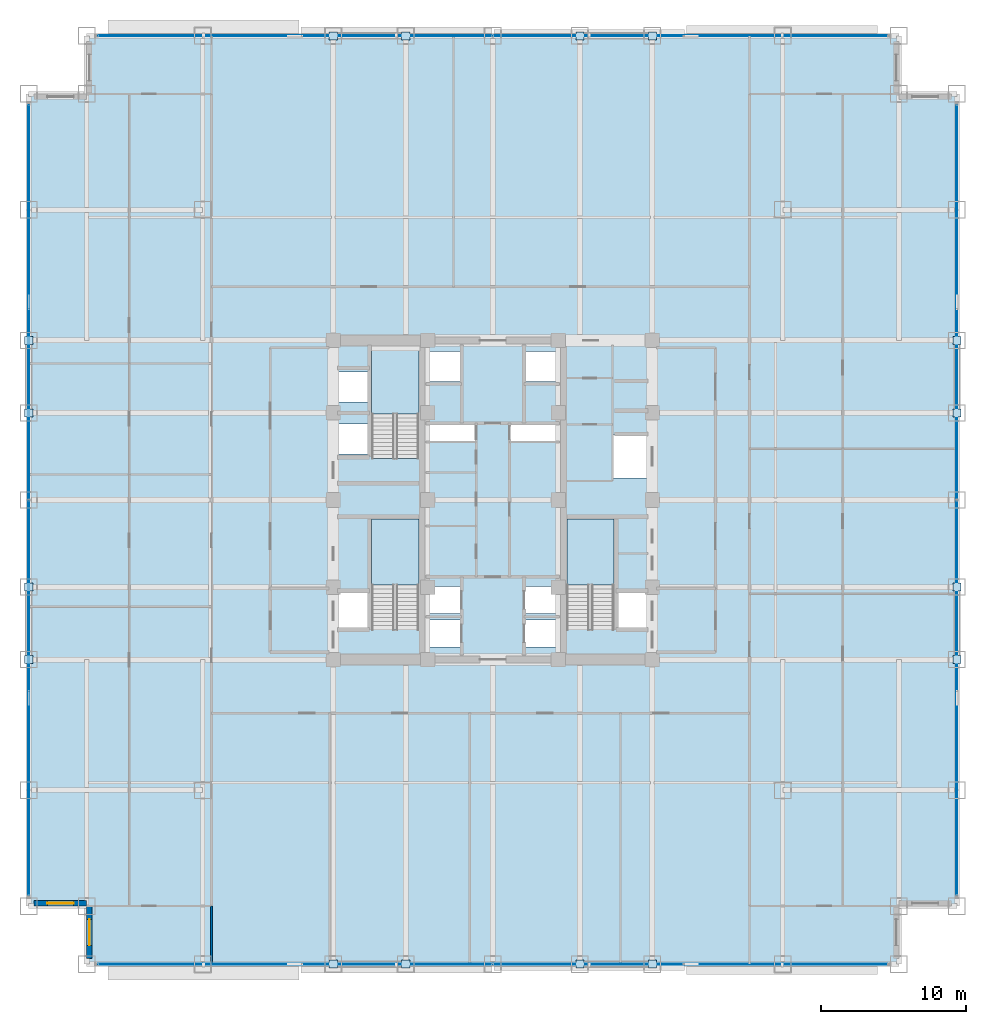
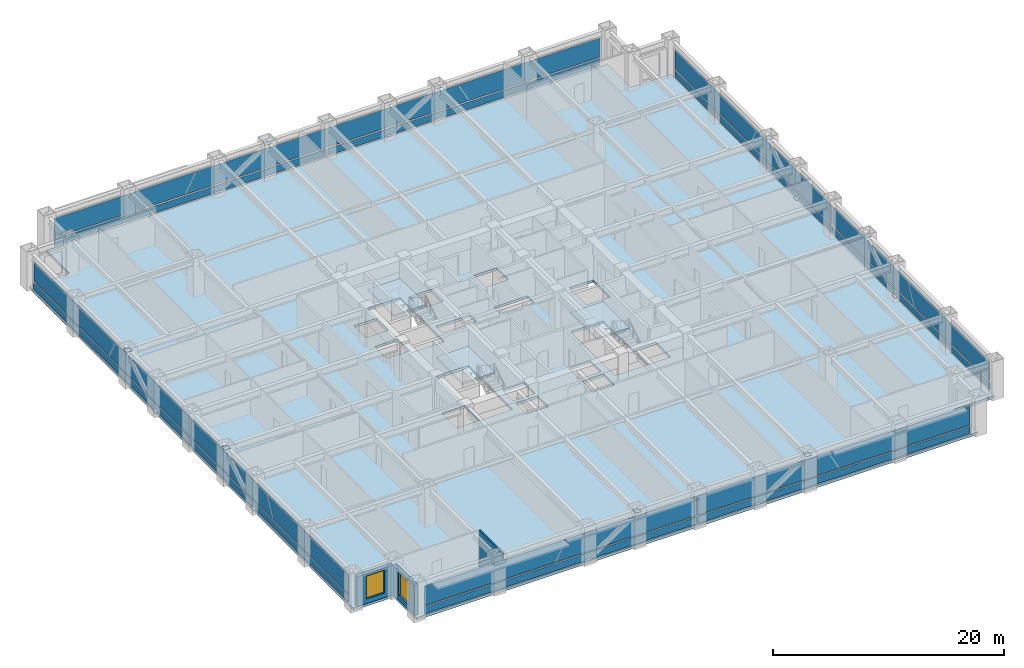
# One storey, part 22 of 32: 32 plates, 4 slabs, 3 walls, 2 windows, 2 openings, 7 elements without a shape of their own.
"""IFC4 building model written with IfcOpenShell, lengths in metres."""

from ifc_helpers import new_model, si_unit, direction, frame, frame_2d, origin, origin_2d, place, context, subcontext, project, spatial, polyline, rectangle, outline, extrude, source, transform, mapped, material, layer, layer_set, type_object, element, fill, aggregate, save


model = new_model("IFC4")

# Units and contexts
model_context = context("Model", 3, precision=1e-05, world=origin(), true_north=direction((0.0, 1.0)))
body_context = subcontext(model_context, "Body", "Model", "MODEL_VIEW")
ifc_project = project(units=[si_unit("LENGTHUNIT", "METRE"), si_unit("AREAUNIT", "SQUARE_METRE"), si_unit("VOLUMEUNIT", "CUBIC_METRE"), si_unit("PLANEANGLEUNIT", "RADIAN"), si_unit("MASSUNIT", "GRAM", prefix="KILO")], contexts=[model_context])

# Site, building, storey
site_placement = place(None, origin())
site = spatial("IfcSite", under=ifc_project, at=site_placement, CompositionType="ELEMENT")
building_placement = place(site_placement, origin())
building = spatial("IfcBuilding", under=site, at=building_placement, Name="Khorayat Bourse Tower", CompositionType="ELEMENT")
storey_placement = place(building_placement, frame((0.0, 0.0, 128.300048828125)))
storey = spatial("IfcBuildingStorey", under=building, at=storey_placement, Name="L29", CompositionType="ELEMENT", Elevation=128.300048828125)

# Stair, slab
ifc_material_1 = material(Name="Concrete C40/50", Category="concrete")
stair_type = type_object("IfcStairType", Name="STR-CORE-1550", PredefinedType="HALF_TURN_STAIR", material=ifc_material_1)
stair_1_placement = place(storey_placement, origin())
stair_1 = element("IfcStair", 1, at=stair_1_placement, inside=storey, type_object=stair_type, Name="L29 Exit Stair ST-1", PredefinedType="HALF_TURN_STAIR")
ifc_layer_1 = layer(ifc_material_1, 0.199951171875)
ifc_layer_set_1 = layer_set([ifc_layer_1], Name="Concrete C40/50")
slab_type_1 = type_object("IfcSlabType", Name="SLB-LANDING-200", PredefinedType="LANDING", material=ifc_layer_set_1)
slab_1_placement = place(storey_placement, frame((0.0, 0.0, 1.849853515625)))
slab_1 = element("IfcSlab", 2, at=slab_1_placement, type_object=slab_type_1, Name="ST-1 landing 1", PredefinedType="LANDING", context=body_context, shape_type="SweptSolid", body=[
    extrude(outline(polyline([(-5.10009765625, -5.8701171875), (-5.10009765625, -1.300048828125), (-8.35009765625, -1.300048828125), (-8.35009765625, -5.8701171875), (-5.10009765625, -5.8701171875)])), origin(), (0.0, 0.0, 1.0), 0.2001953125),
])
aggregate(stair_1, [slab_1])

stair_2_placement = place(storey_placement, origin())
stair_2 = element("IfcStair", 3, at=stair_2_placement, inside=storey, type_object=stair_type, Name="L29 Exit Stair ST-2", PredefinedType="HALF_TURN_STAIR")
slab_2_placement = place(storey_placement, frame((0.0, 0.0, 1.849853515625)))
slab_2 = element("IfcSlab", 4, at=slab_2_placement, type_object=slab_type_1, Name="ST-2 landing 1", PredefinedType="LANDING", context=body_context, shape_type="SweptSolid", body=[
    extrude(outline(polyline([(-5.10009765625, 5.929931640625), (-5.10009765625, 10.5), (-8.35009765625, 10.5), (-8.35009765625, 5.929931640625), (-5.10009765625, 5.929931640625)])), origin(), (0.0, 0.0, 1.0), 0.2001953125),
])
aggregate(stair_2, [slab_2])

stair_3_placement = place(storey_placement, origin())
stair_3 = element("IfcStair", 5, at=stair_3_placement, inside=storey, type_object=stair_type, Name="L29 Exit Stair ST-3", PredefinedType="HALF_TURN_STAIR")
slab_3_placement = place(storey_placement, frame((0.0, 0.0, 1.849853515625)))
slab_3 = element("IfcSlab", 6, at=slab_3_placement, type_object=slab_type_1, Name="ST-3 landing 1", PredefinedType="LANDING", context=body_context, shape_type="SweptSolid", body=[
    extrude(outline(polyline([(8.35009765625, -5.8701171875), (8.35009765625, -1.300048828125), (5.10009765625, -1.300048828125), (5.10009765625, -5.8701171875), (8.35009765625, -5.8701171875)])), origin(), (0.0, 0.0, 1.0), 0.2001953125),
])
aggregate(stair_3, [slab_3])

# Slab
ifc_layer_2 = layer(ifc_material_1, 0.260009765625)
ifc_layer_set_2 = layer_set([ifc_layer_2], Name="Concrete C40/50")
slab_type_2 = type_object("IfcSlabType", Name="SLB-TRADE-260", PredefinedType="FLOOR", material=ifc_layer_set_2)
slab_4_placement = place(storey_placement, frame((0.0, 0.0, -0.260009765625)))
element("IfcSlab", 7, at=slab_4_placement, inside=storey, type_object=slab_type_2, Name="L29 Main Floor Slab", PredefinedType="FLOOR", context=body_context, shape_type="SweptSolid", body=[
    extrude(outline(polyline([(-28.0, -32.0), (28.0, -32.0), (28.0, -28.0), (32.0, -28.0), (32.0, 28.0), (28.0, 28.0), (28.0, 32.0), (-28.0, 32.0), (-28.0, 28.0), (-32.0, 28.0), (-32.0, -28.0), (-28.0, -28.0), (-28.0, -32.0)]), holes=[polyline([(-8.35009765625, -8.945068359375), (-5.10009765625, -8.945068359375), (-5.10009765625, -1.300048828125), (-8.35009765625, -1.300048828125), (-8.35009765625, -8.945068359375)]), polyline([(-8.35009765625, 2.85498046875), (-5.10009765625, 2.85498046875), (-5.10009765625, 10.5), (-8.35009765625, 10.5), (-8.35009765625, 2.85498046875)]), polyline([(5.10009765625, -8.945068359375), (8.35009765625, -8.945068359375), (8.35009765625, -1.300048828125), (5.10009765625, -1.300048828125), (5.10009765625, -8.945068359375)]), polyline([(-4.3798828125, -10.1298828125), (-2.219970703125, -10.1298828125), (-2.219970703125, -8.27001953125), (-4.3798828125, -8.27001953125), (-4.3798828125, -10.1298828125)]), polyline([(2.219970703125, -10.1298828125), (4.3798828125, -10.1298828125), (4.3798828125, -8.27001953125), (2.219970703125, -8.27001953125), (2.219970703125, -10.1298828125)]), polyline([(-4.3798828125, -7.830078125), (-2.219970703125, -7.830078125), (-2.219970703125, -5.969970703125), (-4.3798828125, -5.969970703125), (-4.3798828125, -7.830078125)]), polyline([(2.219970703125, -7.830078125), (4.3798828125, -7.830078125), (4.3798828125, -5.969970703125), (2.219970703125, -5.969970703125), (2.219970703125, -7.830078125)]), polyline([(-4.3798828125, 8.169921875), (-2.1201171875, 8.169921875), (-2.1201171875, 10.22998046875), (-4.3798828125, 10.22998046875), (-4.3798828125, 8.169921875)]), polyline([(2.1201171875, 8.169921875), (4.3798828125, 8.169921875), (4.3798828125, 10.22998046875), (2.1201171875, 10.22998046875), (2.1201171875, 8.169921875)]), polyline([(-10.679931640625, 3.169921875), (-8.419921875, 3.169921875), (-8.419921875, 5.22998046875), (-10.679931640625, 5.22998046875), (-10.679931640625, 3.169921875)]), polyline([(-10.679931640625, 6.77001953125), (-8.419921875, 6.77001953125), (-8.419921875, 8.830078125), (-10.679931640625, 8.830078125), (-10.679931640625, 6.77001953125)]), polyline([(-10.679931640625, -8.929931640625), (-8.419921875, -8.929931640625), (-8.419921875, -6.3701171875), (-10.679931640625, -6.3701171875), (-10.679931640625, -8.929931640625)]), polyline([(8.419921875, -8.929931640625), (10.679931640625, -8.929931640625), (10.679931640625, -6.3701171875), (8.419921875, -6.3701171875), (8.419921875, -8.929931640625)]), polyline([(8.320068359375, 1.52001953125), (10.679931640625, 1.52001953125), (10.679931640625, 4.47998046875), (8.320068359375, 4.47998046875), (8.320068359375, 1.52001953125)]), polyline([(-4.56005859375, 4.080078125), (-1.18994140625, 4.080078125), (-1.18994140625, 5.219970703125), (-4.56005859375, 5.219970703125), (-4.56005859375, 4.080078125)]), polyline([(1.18994140625, 4.080078125), (4.56005859375, 4.080078125), (4.56005859375, 5.219970703125), (1.18994140625, 5.219970703125), (1.18994140625, 4.080078125)])]), origin(), (0.0, 0.0, 1.0), 0.260009765625),
])

# Plates
ifc_material_2 = material(Name="Steel EN 10025-2 S355J2", Category="steel")
ifc_layer_3 = layer(ifc_material_2, 0.02490234375)
ifc_layer_set_3 = layer_set([ifc_layer_3], Name="Steel EN 10025-2 S355J2")
plate_type_1 = type_object("IfcPlateType", Name="PLT-ENDCAP-25", PredefinedType="SHEET", material=ifc_layer_set_3)
shared_shape_1 = source(origin(), body_context, "Body", "SweptSolid", [
    extrude(rectangle(XDim=0.56005859375, YDim=0.56005859375, at=origin_2d()), origin(), (0.0, 0.0, 1.0), 0.02490234375),
])
for number, where, z_axis, x_axis, name in (
    (8, (-11.0, -32.0, 0.237548828125), (0.0, 0.0, 1.0), (1.0, 0.0, 0.0), "L29 Perimeter Brace End Plate 001"),
    (9, (-6.0, -32.0, 3.577392578125), (0.0, 0.0, 1.0), (1.0, 0.0, 0.0), "L29 Perimeter Brace End Plate 002"),
    (10, (6.0, -32.0, 0.237548828125), (0.0, 0.0, 1.0), (1.0, 0.0, 0.0), "L29 Perimeter Brace End Plate 003"),
    (11, (11.0, -32.0, 3.577392578125), (0.0, 0.0, 1.0), (1.0, 0.0, 0.0), "L29 Perimeter Brace End Plate 004"),
    (12, (-11.0, 32.0, 0.237548828125), (0.0, 0.0, 1.0), (1.0, 0.0, 0.0), "L29 Perimeter Brace End Plate 005"),
    (13, (-6.0, 32.0, 3.577392578125), (0.0, 0.0, 1.0), (1.0, 0.0, 0.0), "L29 Perimeter Brace End Plate 006"),
    (14, (6.0, 32.0, 0.237548828125), (0.0, 0.0, 1.0), (1.0, 0.0, 0.0), "L29 Perimeter Brace End Plate 007"),
    (15, (11.0, 32.0, 3.577392578125), (0.0, 0.0, 1.0), (1.0, 0.0, 0.0), "L29 Perimeter Brace End Plate 008"),
    (16, (-32.0, -11.0, 0.237548828125), (0.0, 0.0, 1.0), (1.0, 0.0, 0.0), "L29 Perimeter Brace End Plate 009"),
    (17, (-32.0, -6.0, 3.577392578125), (0.0, 0.0, 1.0), (1.0, 0.0, 0.0), "L29 Perimeter Brace End Plate 010"),
    (18, (-32.0, 6.0, 0.237548828125), (0.0, 0.0, 1.0), (1.0, 0.0, 0.0), "L29 Perimeter Brace End Plate 011"),
    (19, (-32.0, 11.0, 3.577392578125), (0.0, 0.0, 1.0), (1.0, 0.0, 0.0), "L29 Perimeter Brace End Plate 012"),
    (20, (32.0, -11.0, 0.237548828125), (0.0, 0.0, 1.0), (1.0, 0.0, 0.0), "L29 Perimeter Brace End Plate 013"),
    (21, (32.0, -6.0, 3.577392578125), (0.0, 0.0, 1.0), (1.0, 0.0, 0.0), "L29 Perimeter Brace End Plate 014"),
    (22, (32.0, 6.0, 0.237548828125), (0.0, 0.0, 1.0), (1.0, 0.0, 0.0), "L29 Perimeter Brace End Plate 015"),
    (23, (32.0, 11.0, 3.577392578125), (0.0, 0.0, 1.0), (1.0, 0.0, 0.0), "L29 Perimeter Brace End Plate 016"),
):
    element("IfcPlate", number, at=place(storey_placement, frame(where, z_axis=z_axis, x_axis=x_axis)), inside=storey, type_object=plate_type_1, Name=name, PredefinedType="SHEET", context=body_context, shape_type="MappedRepresentation", body=[
        mapped(shared_shape_1, transform((0.0, 0.0, 0.0), scale=1.0)),
    ])

# Curtain wall, plates
ifc_material_3 = material(Name="Aluminium EN AW-6063 T6", Category="aluminium")
curtain_wall_type = type_object("IfcCurtainWallType", Name="CW-SYS-02", PredefinedType="NOTDEFINED", material=ifc_material_3)
curtain_wall_1_placement = place(storey_placement, origin())
curtain_wall_1 = element("IfcCurtainWall", 24, at=curtain_wall_1_placement, inside=storey, type_object=curtain_wall_type, Name="L29 Curtain Wall CW-L29-S1", PredefinedType="NOTDEFINED")
ifc_material_4 = material(Name="Honed desert limestone insulated spandrel", Category="masonry")
ifc_layer_4 = layer(ifc_material_4, 0.06494140625)
ifc_layer_set_4 = layer_set([ifc_layer_4], Name="Honed desert limestone insulated spandrel")
plate_type_2 = type_object("IfcPlateType", Name="CWP-SPAND-03", PredefinedType="CURTAIN_PANEL", material=ifc_layer_set_4)
shared_shape_2 = source(origin(), body_context, "Body", "SweptSolid", [
    extrude(rectangle(XDim=27.139892578125, YDim=0.06494140625, at=origin_2d()), origin(), (0.0, 0.0, 1.0), 0.739990234375),
])
plate_1_placement = place(storey_placement, frame((-13.639892578125, -32.0, 0.14013671875), z_axis=(0.0, 0.0, 1.0), x_axis=(1.0, 0.0, 0.0)))
plate_1 = element("IfcPlate", 25, at=plate_1_placement, type_object=plate_type_2, Name="CW-L29-S1 Spandrel Panel 1-1", PredefinedType="CURTAIN_PANEL", context=body_context, shape_type="MappedRepresentation", body=[
    mapped(shared_shape_2, transform((0.0, 0.0, 0.0), scale=1.0)),
])
plate_2_placement = place(storey_placement, frame((13.639892578125, -32.0, 0.14013671875), z_axis=(0.0, 0.0, 1.0), x_axis=(1.0, 0.0, 0.0)))
plate_2 = element("IfcPlate", 26, at=plate_2_placement, type_object=plate_type_2, Name="CW-L29-S1 Spandrel Panel 2-1", PredefinedType="CURTAIN_PANEL", context=body_context, shape_type="MappedRepresentation", body=[
    mapped(shared_shape_2, transform((0.0, 0.0, 0.0), scale=1.0)),
])

curtain_wall_2_placement = place(storey_placement, origin())
curtain_wall_2 = element("IfcCurtainWall", 27, at=curtain_wall_2_placement, inside=storey, type_object=curtain_wall_type, Name="L29 Curtain Wall CW-L29-N1", PredefinedType="NOTDEFINED")
plate_3_placement = place(storey_placement, frame((-13.639892578125, 32.0, 0.14013671875), z_axis=(0.0, 0.0, 1.0), x_axis=(1.0, 0.0, 0.0)))
plate_3 = element("IfcPlate", 28, at=plate_3_placement, type_object=plate_type_2, Name="CW-L29-N1 Spandrel Panel 1-1", PredefinedType="CURTAIN_PANEL", context=body_context, shape_type="MappedRepresentation", body=[
    mapped(shared_shape_2, transform((0.0, 0.0, 0.0), scale=1.0)),
])
plate_4_placement = place(storey_placement, frame((13.639892578125, 32.0, 0.14013671875), z_axis=(0.0, 0.0, 1.0), x_axis=(1.0, 0.0, 0.0)))
plate_4 = element("IfcPlate", 29, at=plate_4_placement, type_object=plate_type_2, Name="CW-L29-N1 Spandrel Panel 2-1", PredefinedType="CURTAIN_PANEL", context=body_context, shape_type="MappedRepresentation", body=[
    mapped(shared_shape_2, transform((0.0, 0.0, 0.0), scale=1.0)),
])

curtain_wall_3_placement = place(storey_placement, origin())
curtain_wall_3 = element("IfcCurtainWall", 30, at=curtain_wall_3_placement, inside=storey, type_object=curtain_wall_type, Name="L29 Curtain Wall CW-L29-W1", PredefinedType="NOTDEFINED")
plate_5_placement = place(storey_placement, frame((-32.0, -13.639892578125, 0.14013671875), z_axis=(0.0, 0.0, 1.0), x_axis=(0.0, 1.0, 0.0)))
plate_5 = element("IfcPlate", 31, at=plate_5_placement, type_object=plate_type_2, Name="CW-L29-W1 Spandrel Panel 1-1", PredefinedType="CURTAIN_PANEL", context=body_context, shape_type="MappedRepresentation", body=[
    mapped(shared_shape_2, transform((0.0, 0.0, 0.0), scale=1.0)),
])
plate_6_placement = place(storey_placement, frame((-32.0, 13.639892578125, 0.14013671875), z_axis=(0.0, 0.0, 1.0), x_axis=(0.0, 1.0, 0.0)))
plate_6 = element("IfcPlate", 32, at=plate_6_placement, type_object=plate_type_2, Name="CW-L29-W1 Spandrel Panel 2-1", PredefinedType="CURTAIN_PANEL", context=body_context, shape_type="MappedRepresentation", body=[
    mapped(shared_shape_2, transform((0.0, 0.0, 0.0), scale=1.0)),
])

curtain_wall_4_placement = place(storey_placement, origin())
curtain_wall_4 = element("IfcCurtainWall", 33, at=curtain_wall_4_placement, inside=storey, type_object=curtain_wall_type, Name="L29 Curtain Wall CW-L29-E1", PredefinedType="NOTDEFINED")
plate_7_placement = place(storey_placement, frame((32.0, -13.639892578125, 0.14013671875), z_axis=(0.0, 0.0, 1.0), x_axis=(0.0, 1.0, 0.0)))
plate_7 = element("IfcPlate", 34, at=plate_7_placement, type_object=plate_type_2, Name="CW-L29-E1 Spandrel Panel 1-1", PredefinedType="CURTAIN_PANEL", context=body_context, shape_type="MappedRepresentation", body=[
    mapped(shared_shape_2, transform((0.0, 0.0, 0.0), scale=1.0)),
])
plate_8_placement = place(storey_placement, frame((32.0, 13.639892578125, 0.14013671875), z_axis=(0.0, 0.0, 1.0), x_axis=(0.0, 1.0, 0.0)))
plate_8 = element("IfcPlate", 35, at=plate_8_placement, type_object=plate_type_2, Name="CW-L29-E1 Spandrel Panel 2-1", PredefinedType="CURTAIN_PANEL", context=body_context, shape_type="MappedRepresentation", body=[
    mapped(shared_shape_2, transform((0.0, 0.0, 0.0), scale=1.0)),
])

# Plate
ifc_material_5 = material(Name="Low-E solar-control laminated double glazing", Category="glass")
ifc_layer_5 = layer(ifc_material_5, 0.0419921875)
ifc_layer_set_5 = layer_set([ifc_layer_5], Name="Low-E solar-control laminated double glazing")
plate_type_3 = type_object("IfcPlateType", Name="CWP-FACET-02", PredefinedType="CURTAIN_PANEL", material=ifc_layer_set_5)
shared_shape_3 = source(origin(), body_context, "Body", "SweptSolid", [
    extrude(rectangle(XDim=27.139892578125, YDim=0.0419921875, at=origin_2d()), origin(), (0.0, 0.0, 1.0), 2.030029296875),
])
plate_9_placement = place(storey_placement, frame((-13.639892578125, -32.0, 1.02001953125), z_axis=(0.0, 0.0, 1.0), x_axis=(1.0, 0.0, 0.0)))
plate_9 = element("IfcPlate", 36, at=plate_9_placement, type_object=plate_type_3, Name="CW-L29-S1 Vision Panel 1-2", PredefinedType="CURTAIN_PANEL", context=body_context, shape_type="MappedRepresentation", body=[
    mapped(shared_shape_3, transform((0.0, 0.0, 0.0), scale=1.0)),
])

plate_10_placement = place(storey_placement, frame((13.639892578125, -32.0, 1.02001953125), z_axis=(0.0, 0.0, 1.0), x_axis=(1.0, 0.0, 0.0)))
plate_10 = element("IfcPlate", 37, at=plate_10_placement, type_object=plate_type_3, Name="CW-L29-S1 Vision Panel 2-2", PredefinedType="CURTAIN_PANEL", context=body_context, shape_type="MappedRepresentation", body=[
    mapped(shared_shape_3, transform((0.0, 0.0, 0.0), scale=1.0)),
])

aggregate(curtain_wall_1, [plate_1, plate_9, plate_2, plate_10])

plate_11_placement = place(storey_placement, frame((-13.639892578125, 32.0, 1.02001953125), z_axis=(0.0, 0.0, 1.0), x_axis=(1.0, 0.0, 0.0)))
plate_11 = element("IfcPlate", 38, at=plate_11_placement, type_object=plate_type_3, Name="CW-L29-N1 Vision Panel 1-2", PredefinedType="CURTAIN_PANEL", context=body_context, shape_type="MappedRepresentation", body=[
    mapped(shared_shape_3, transform((0.0, 0.0, 0.0), scale=1.0)),
])

plate_12_placement = place(storey_placement, frame((13.639892578125, 32.0, 1.02001953125), z_axis=(0.0, 0.0, 1.0), x_axis=(1.0, 0.0, 0.0)))
plate_12 = element("IfcPlate", 39, at=plate_12_placement, type_object=plate_type_3, Name="CW-L29-N1 Vision Panel 2-2", PredefinedType="CURTAIN_PANEL", context=body_context, shape_type="MappedRepresentation", body=[
    mapped(shared_shape_3, transform((0.0, 0.0, 0.0), scale=1.0)),
])

aggregate(curtain_wall_2, [plate_3, plate_11, plate_4, plate_12])

plate_13_placement = place(storey_placement, frame((-32.0, -13.639892578125, 1.02001953125), z_axis=(0.0, 0.0, 1.0), x_axis=(0.0, 1.0, 0.0)))
plate_13 = element("IfcPlate", 40, at=plate_13_placement, type_object=plate_type_3, Name="CW-L29-W1 Vision Panel 1-2", PredefinedType="CURTAIN_PANEL", context=body_context, shape_type="MappedRepresentation", body=[
    mapped(shared_shape_3, transform((0.0, 0.0, 0.0), scale=1.0)),
])

plate_14_placement = place(storey_placement, frame((-32.0, 13.639892578125, 1.02001953125), z_axis=(0.0, 0.0, 1.0), x_axis=(0.0, 1.0, 0.0)))
plate_14 = element("IfcPlate", 41, at=plate_14_placement, type_object=plate_type_3, Name="CW-L29-W1 Vision Panel 2-2", PredefinedType="CURTAIN_PANEL", context=body_context, shape_type="MappedRepresentation", body=[
    mapped(shared_shape_3, transform((0.0, 0.0, 0.0), scale=1.0)),
])

aggregate(curtain_wall_3, [plate_5, plate_13, plate_6, plate_14])

plate_15_placement = place(storey_placement, frame((32.0, -13.639892578125, 1.02001953125), z_axis=(0.0, 0.0, 1.0), x_axis=(0.0, 1.0, 0.0)))
plate_15 = element("IfcPlate", 42, at=plate_15_placement, type_object=plate_type_3, Name="CW-L29-E1 Vision Panel 1-2", PredefinedType="CURTAIN_PANEL", context=body_context, shape_type="MappedRepresentation", body=[
    mapped(shared_shape_3, transform((0.0, 0.0, 0.0), scale=1.0)),
])

plate_16_placement = place(storey_placement, frame((32.0, 13.639892578125, 1.02001953125), z_axis=(0.0, 0.0, 1.0), x_axis=(0.0, 1.0, 0.0)))
plate_16 = element("IfcPlate", 43, at=plate_16_placement, type_object=plate_type_3, Name="CW-L29-E1 Vision Panel 2-2", PredefinedType="CURTAIN_PANEL", context=body_context, shape_type="MappedRepresentation", body=[
    mapped(shared_shape_3, transform((0.0, 0.0, 0.0), scale=1.0)),
])

aggregate(curtain_wall_4, [plate_7, plate_15, plate_8, plate_16])

# Wall, opening, window
ifc_material_6 = material(Name="Precast concrete C45/55", Category="concrete")
ifc_layer_6 = layer(ifc_material_6, 0.3798828125)
ifc_layer_set_6 = layer_set([ifc_layer_6], Name="Precast concrete C45/55")
wall_type_1 = type_object("IfcWallType", Name="WAL-EXT-STONE-380", PredefinedType="STANDARD", material=ifc_layer_set_6)
shared_shape_4 = source(origin(), body_context, "Body", "SweptSolid", [
    extrude(rectangle(XDim=3.6201171875, YDim=0.3798828125, at=frame_2d((1.81005859375, 0.0))), origin(), (0.0, 0.0, 1.0), 3.14501953125),
])
wall_1_placement = place(storey_placement, frame((-28.0, -27.81005859375, 0.0), z_axis=(0.0, 0.0, 1.0), x_axis=(-1.0, 0.0, 0.0)))
wall_1 = element("IfcWall", 44, at=wall_1_placement, inside=storey, type_object=wall_type_1, Name="L29 Re-Entrant Notch Limestone Wall SW-H", PredefinedType="STANDARD", context=body_context, shape_type="MappedRepresentation", body=[
    mapped(shared_shape_4, transform((0.0, 0.0, 0.0), scale=1.0)),
])
shared_shape_5 = source(origin(), body_context, "Body", "SweptSolid", [
    extrude(rectangle(XDim=1.800048828125, YDim=2.39990234375, at=frame_2d((0.89990234375, 1.199951171875))), frame((0.0, 0.199951171875, 0.0), z_axis=(0.0, -1.0, 0.0), x_axis=(1.0, 0.0, 0.0)), (0.0, 0.0, 1.0), 0.39990234375),
])
opening_1_placement = place(wall_1_placement, frame((0.909912109375, 0.0, 0.5)))
opening_1 = element("IfcOpeningElement", 45, at=opening_1_placement, cuts=wall_1, Name="Opening WN-04", PredefinedType="OPENING", context=body_context, shape_type="MappedRepresentation", body=[
    mapped(shared_shape_5, transform((0.0, 0.0, 0.0), scale=1.0)),
])
ifc_material_7 = material(Name="Low-E acoustic laminated double glazing", Category="glass")
window_type = type_object("IfcWindowType", Name="WIN-NOTCH-1800x2400", PartitioningType="SINGLE_PANEL", PredefinedType="WINDOW", material=ifc_material_7)
shared_shape_6 = source(origin(), body_context, "Body", "SweptSolid", [
    extrude(rectangle(XDim=1.800048828125, YDim=2.39990234375, at=frame_2d((0.89990234375, 1.199951171875))), frame((0.0, 0.030029296875, 0.0), z_axis=(0.0, -1.0, 0.0), x_axis=(1.0, 0.0, 0.0)), (0.0, 0.0, 1.0), 0.06005859375),
])
window_1_placement = place(opening_1_placement, origin())
window_1 = element("IfcWindow", 46, at=window_1_placement, inside=storey, type_object=window_type, Name="L29 Facade Window 1", OverallHeight=2.39990234375, OverallWidth=1.800048828125, PartitioningType="SINGLE_PANEL", PredefinedType="WINDOW", context=body_context, shape_type="MappedRepresentation", body=[
    mapped(shared_shape_6, transform((0.0, 0.0, 0.0), scale=1.0)),
])
fill(opening_1, window_1)

wall_2_placement = place(storey_placement, frame((-27.81005859375, -31.6201171875, 0.0), z_axis=(0.0, 0.0, 1.0), x_axis=(0.0, 1.0, 0.0)))
wall_2 = element("IfcWall", 47, at=wall_2_placement, inside=storey, type_object=wall_type_1, Name="L29 Re-Entrant Notch Limestone Wall SW-V", PredefinedType="STANDARD", context=body_context, shape_type="MappedRepresentation", body=[
    mapped(shared_shape_4, transform((0.0, 0.0, 0.0), scale=1.0)),
])
opening_2_placement = place(wall_2_placement, frame((0.909912109375, 0.0, 0.5)))
opening_2 = element("IfcOpeningElement", 48, at=opening_2_placement, cuts=wall_2, Name="Opening WN-04", PredefinedType="OPENING", context=body_context, shape_type="MappedRepresentation", body=[
    mapped(shared_shape_5, transform((0.0, 0.0, 0.0), scale=1.0)),
])
window_2_placement = place(opening_2_placement, origin())
window_2 = element("IfcWindow", 49, at=window_2_placement, inside=storey, type_object=window_type, Name="L29 Facade Window 1", OverallHeight=2.39990234375, OverallWidth=1.800048828125, PartitioningType="SINGLE_PANEL", PredefinedType="WINDOW", context=body_context, shape_type="MappedRepresentation", body=[
    mapped(shared_shape_6, transform((0.0, 0.0, 0.0), scale=1.0)),
])
fill(opening_2, window_2)

# Wall
ifc_material_8 = material(Name="Gypsum plasterboard twin-frame partition")
ifc_layer_7 = layer(ifc_material_8, 0.14990234375)
ifc_layer_set_7 = layer_set([ifc_layer_7], Name="Gypsum plasterboard twin-frame partition")
wall_type_2 = type_object("IfcWallType", Name="WAL-PART-SUITE-150", PredefinedType="PARTITIONING", material=ifc_layer_set_7)
shared_shape_7 = source(origin(), body_context, "Body", "SweptSolid", [
    extrude(rectangle(XDim=4.0, YDim=0.14990234375, at=frame_2d((2.0, 0.0))), origin(), (0.0, 0.0, 1.0), 3.83984375),
])
wall_3_placement = place(storey_placement, frame((-19.39990234375, -32.0, 0.0), z_axis=(0.0, 0.0, 1.0), x_axis=(0.0, 1.0, 0.0)))
element("IfcWall", 50, at=wall_3_placement, inside=storey, type_object=wall_type_2, Name="L29 Partition WAL-L29-SCW-END", PredefinedType="PARTITIONING", context=body_context, shape_type="MappedRepresentation", body=[
    mapped(shared_shape_7, transform((0.0, 0.0, 0.0), scale=1.0)),
])

save(model, "model.ifc")
